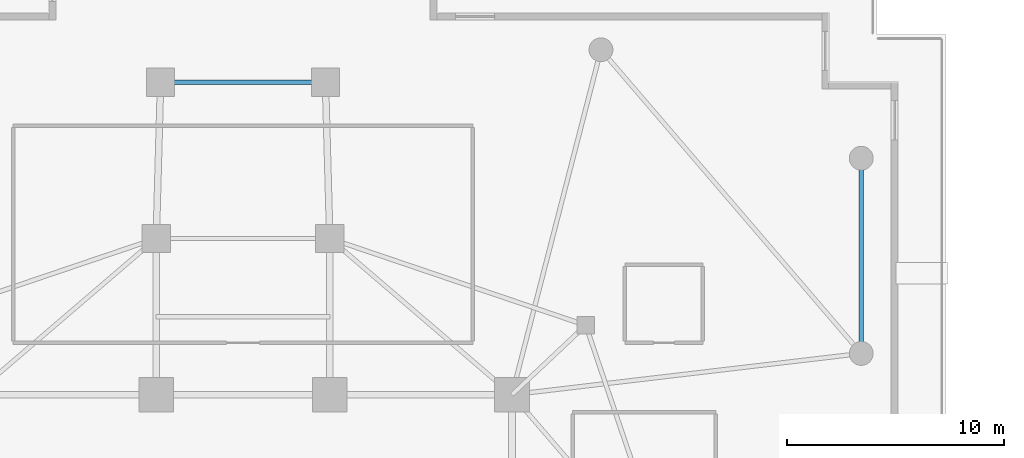
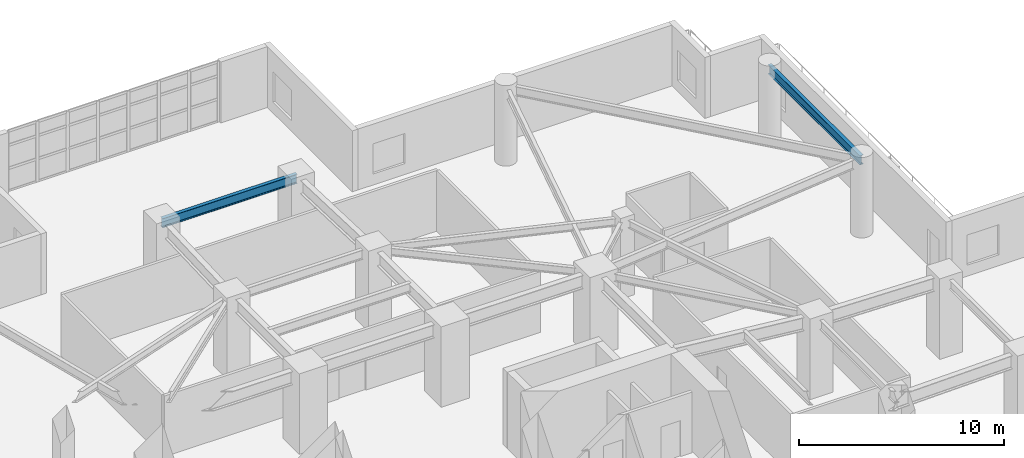
# One storey, part 9 of 23: 2 beams.
"""IFC4 building model written with IfcOpenShell, lengths in metres."""

from ifc_helpers import new_model, si_unit, direction, frame, origin, origin_2d, place, context, subcontext, project, spatial, i_section, extrude, material, material_profile, profile_set, type_object, element, save


model = new_model("IFC4")

# Units and contexts
model_context = context("Model", 3, precision=1e-05, world=origin(), true_north=direction((0.0, 1.0)))
body_context = subcontext(model_context, "Body", "Model", "MODEL_VIEW")
ifc_project = project(units=[si_unit("LENGTHUNIT", "METRE"), si_unit("AREAUNIT", "SQUARE_METRE"), si_unit("VOLUMEUNIT", "CUBIC_METRE"), si_unit("PLANEANGLEUNIT", "RADIAN"), si_unit("MASSUNIT", "GRAM", prefix="KILO")], contexts=[model_context])

# Site, building, storey
site_placement = place(None, origin())
site = spatial("IfcSite", under=ifc_project, at=site_placement, CompositionType="ELEMENT")
building_placement = place(site_placement, origin())
building = spatial("IfcBuilding", under=site, at=building_placement, Name="Qingluan Cross Belvedere", CompositionType="ELEMENT")
storey_placement = place(building_placement, frame((0.0, 0.0, 5.39990234375)))
storey = spatial("IfcBuildingStorey", under=building, at=storey_placement, Name="L02", CompositionType="ELEMENT", Elevation=5.39990234375)

# Beams
ifc_material = material(Name="Steel Q420GJB", Category="steel")
ifc_material_profile = material_profile(ifc_material, i_section(OverallWidth=0.199951171875, OverallDepth=0.550048828125, WebThickness=0.010009765625, FlangeThickness=0.01611328125, FilletRadius=0.01611328125, at=origin_2d()), Name="HN550x200x10x16")
ifc_profile_set = profile_set([ifc_material_profile], Name="Steel Q420GJB")
beam_type = type_object("IfcBeamType", Name="Steel_Beam_HN550x200x10x16", PredefinedType="JOIST", material=ifc_profile_set)
beam_1_placement = place(storey_placement, frame((-3.800048828125, 27.0, 4.275146484375), z_axis=(1.0, 0.0, 0.0), x_axis=(0.0, 1.0, 0.0)))
element("IfcBeam", 1, at=beam_1_placement, inside=storey, type_object=beam_type, Name="Arm N tip transverse beam L02", PredefinedType="JOIST", context=body_context, shape_type="SweptSolid", body=[
    extrude(i_section(OverallWidth=0.199951171875, OverallDepth=0.550048828125, WebThickness=0.010009765625, FlangeThickness=0.01611328125, FilletRadius=0.01611328125, at=origin_2d()), origin(), (0.0, 0.0, 1.0), 7.60009765625),
])
beam_2_placement = place(storey_placement, frame((28.5, 14.5, 4.275146484375), z_axis=(0.0, 1.0, 0.0), x_axis=(-1.0, 0.0, 0.0)))
element("IfcBeam", 2, at=beam_2_placement, inside=storey, type_object=beam_type, Name="Podium quadrant tie beam L02-EN12", PredefinedType="JOIST", context=body_context, shape_type="SweptSolid", body=[
    extrude(i_section(OverallWidth=0.199951171875, OverallDepth=0.550048828125, WebThickness=0.010009765625, FlangeThickness=0.01611328125, FilletRadius=0.01611328125, at=origin_2d()), origin(), (0.0, 0.0, 1.0), 9.0),
])

save(model, "model.ifc")
